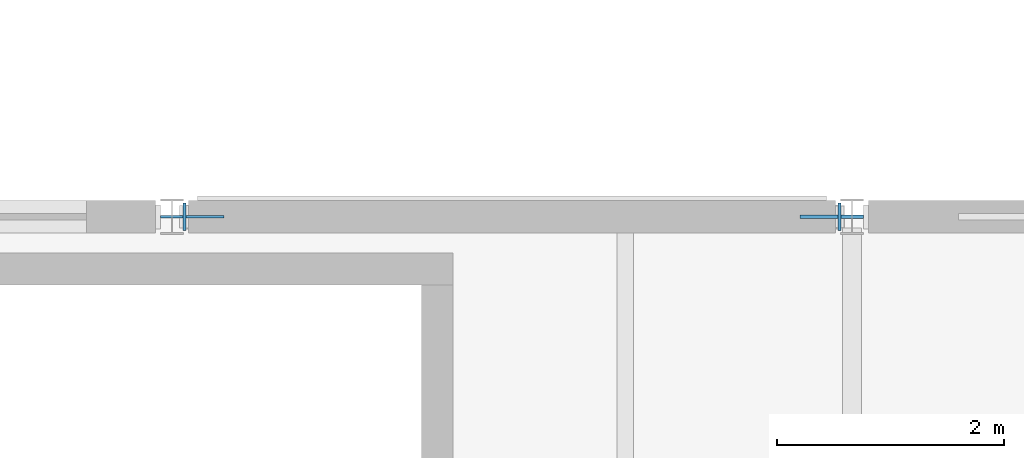
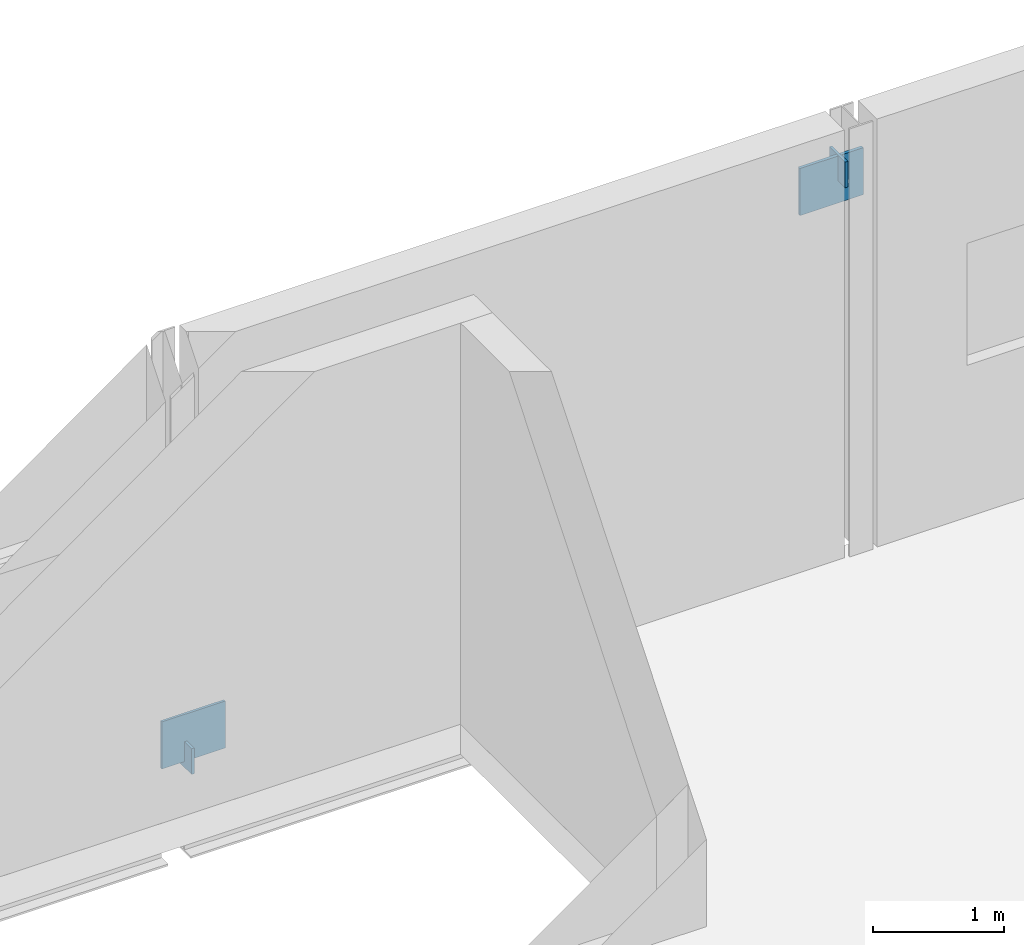
# One storey, part 25 of 45: 4 plates.
"""IFC4 building model written with IfcOpenShell, lengths in metres."""

from ifc_helpers import new_model, si_unit, direction, frame, origin, origin_2d, place, context, subcontext, project, spatial, rectangle, extrude, material, layer, layer_set, type_object, element, save


model = new_model("IFC4")

# Units and contexts
model_context = context("Model", 3, precision=1e-05, world=origin(), true_north=direction((0.0, 1.0)))
body_context = subcontext(model_context, "Body", "Model", "MODEL_VIEW")
ifc_project = project(units=[si_unit("LENGTHUNIT", "METRE"), si_unit("AREAUNIT", "SQUARE_METRE"), si_unit("VOLUMEUNIT", "CUBIC_METRE"), si_unit("PLANEANGLEUNIT", "RADIAN"), si_unit("MASSUNIT", "GRAM", prefix="KILO")], contexts=[model_context])

# Site, building, storey
site_placement = place(None, origin())
site = spatial("IfcSite", under=ifc_project, at=site_placement, CompositionType="ELEMENT")
building_placement = place(site_placement, origin())
building = spatial("IfcBuilding", under=site, at=building_placement, Name="Siltcreek Boulevard Central Fire Station", CompositionType="ELEMENT")
storey_placement = place(building_placement, frame((0.0, 0.0, 10.0)))
storey = spatial("IfcBuildingStorey", under=building, at=storey_placement, Name="L03", CompositionType="ELEMENT", Elevation=10.0)

# Plates
ifc_material = material(Name="Structural steel ASTM A572 Gr50", Category="steel")
ifc_layer_1 = layer(ifc_material, 0.02490234375, Name="Structural steel ASTM A572 Gr50")
ifc_layer_set_1 = layer_set([ifc_layer_1], Name="Structural steel ASTM A572 Gr50")
plate_type_1 = type_object("IfcPlateType", Name="PL_CAP25", PredefinedType="USERDEFINED", material=ifc_layer_set_1)
for number, where, z_axis, x_axis, name in (
    (1, (72.111083984375, 54.0, -0.025390625), (0.0, 0.0, 1.0), (1.0, 0.0, 0.0), "L03 buckling-restrained brace BR-012 sealed end cap 1"),
    (2, (77.888916015625, 54.0, 3.435546875), (0.0, 0.0, 1.0), (1.0, 0.0, 0.0), "L03 buckling-restrained brace BR-012 sealed end cap 2"),
):
    element("IfcPlate", number, at=place(storey_placement, frame(where, z_axis=z_axis, x_axis=x_axis)), inside=storey, type_object=plate_type_1, Name=name, ObjectType="END CAP", PredefinedType="USERDEFINED", context=body_context, shape_type="SweptSolid", body=[
        extrude(rectangle(XDim=0.02490234375, YDim=0.239990234375, at=origin_2d()), origin(), (0.0, 0.0, 1.0), 0.239990234375),
    ])
ifc_layer_2 = layer(ifc_material, 0.02197265625, Name="Structural steel ASTM A572 Gr50")
ifc_layer_set_2 = layer_set([ifc_layer_2], Name="Structural steel ASTM A572 Gr50")
plate_type_2 = type_object("IfcPlateType", Name="PL_GUS22", PredefinedType="USERDEFINED", material=ifc_layer_set_2)
plate_1_placement = place(storey_placement, frame((72.179931640625, 54.0, 0.030029296875), z_axis=(0.0, 0.0, 1.0), x_axis=(1.0, 0.0, 0.0)))
element("IfcPlate", 3, at=plate_1_placement, inside=storey, type_object=plate_type_2, Name="Seismic brace bot gusset plate GP-057", ObjectType="GUSSET PLATE", PredefinedType="USERDEFINED", context=body_context, shape_type="SweptSolid", body=[
    extrude(rectangle(XDim=0.56005859375, YDim=0.02197265625, at=origin_2d()), origin(), (0.0, 0.0, 1.0), 0.43994140625),
])
ifc_layer_3 = layer(ifc_material, 0.028076171875, Name="Structural steel ASTM A572 Gr50")
ifc_layer_set_3 = layer_set([ifc_layer_3], Name="Structural steel ASTM A572 Gr50")
plate_type_3 = type_object("IfcPlateType", Name="PL_GUS28", PredefinedType="USERDEFINED", material=ifc_layer_set_3)
plate_2_placement = place(storey_placement, frame((77.820068359375, 54.0, 3.22998046875), z_axis=(0.0, 0.0, 1.0), x_axis=(1.0, 0.0, 0.0)))
element("IfcPlate", 4, at=plate_2_placement, inside=storey, type_object=plate_type_3, Name="Seismic brace top gusset plate GP-058", ObjectType="GUSSET PLATE", PredefinedType="USERDEFINED", context=body_context, shape_type="SweptSolid", body=[
    extrude(rectangle(XDim=0.56005859375, YDim=0.028076171875, at=origin_2d()), origin(), (0.0, 0.0, 1.0), 0.43994140625),
])

save(model, "model.ifc")
